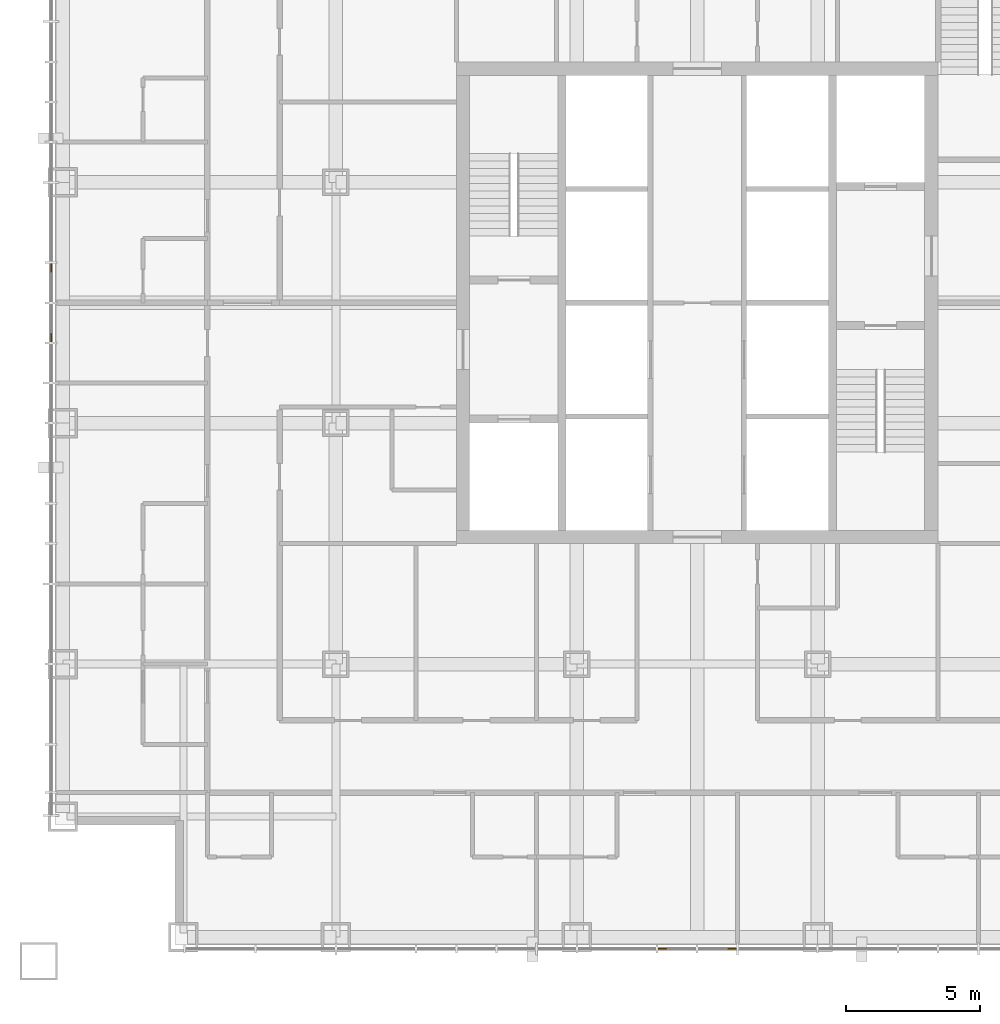
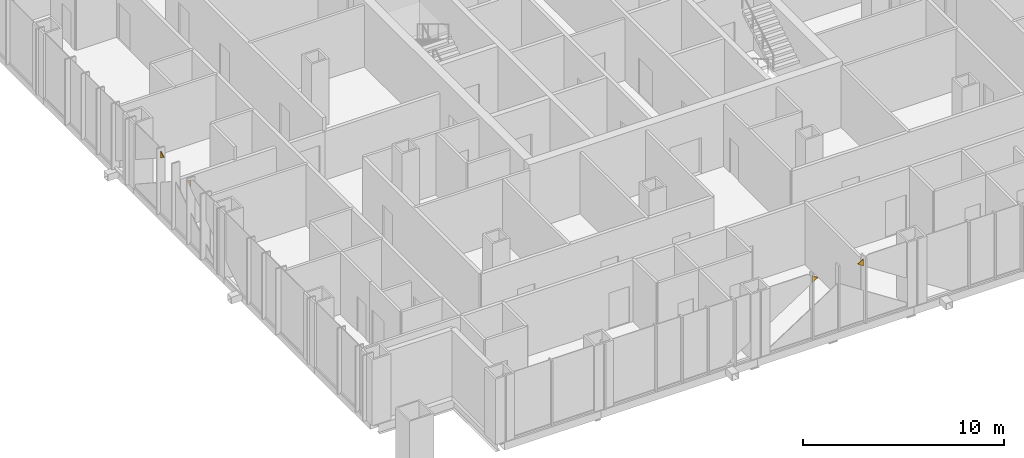
# One storey, part 15 of 16: 4 coverings.
"""IFC4 building model written with IfcOpenShell, lengths in metres."""

from ifc_helpers import new_model, si_unit, direction, frame, origin, place, context, subcontext, project, spatial, polyline, outline, extrude, material, layer, layer_set, type_object, element, save


model = new_model("IFC4")

# Units and contexts
model_context = context("Model", 3, precision=1e-05, world=origin(), true_north=direction((0.0, 1.0)))
body_context = subcontext(model_context, "Body", "Model", "MODEL_VIEW")
ifc_project = project(units=[si_unit("LENGTHUNIT", "METRE"), si_unit("AREAUNIT", "SQUARE_METRE"), si_unit("VOLUMEUNIT", "CUBIC_METRE"), si_unit("PLANEANGLEUNIT", "RADIAN"), si_unit("MASSUNIT", "GRAM", prefix="KILO")], contexts=[model_context])

# Site, building, storey
site_placement = place(None, origin())
site = spatial("IfcSite", under=ifc_project, at=site_placement, CompositionType="ELEMENT")
building_placement = place(site_placement, origin())
building = spatial("IfcBuilding", under=site, at=building_placement, Name="Malebo Sky Hospital", CompositionType="ELEMENT")
storey_placement = place(building_placement, frame((0.0, 0.0, 152.0)))
storey = spatial("IfcBuildingStorey", under=building, at=storey_placement, Name="L36", CompositionType="ELEMENT", Elevation=152.0)

# Coverings
ifc_material = material(Name="Anodised aluminium, natural silver insulated infill panel", Category="aluminium")
ifc_layer = layer(ifc_material, 0.0400390625)
ifc_layer_set = layer_set([ifc_layer], Name="BRACE INFILL PANEL 40")
covering_type = type_object("IfcCoveringType", Name="BRACE INFILL PANEL 40", PredefinedType="CLADDING", material=ifc_layer_set)
covering_1_placement = place(storey_placement, frame((35.864990234375, 60.695068359375, 3.39501953125), z_axis=(0.0, 0.0, 1.0), x_axis=(0.0, 1.0, 0.0)))
element("IfcCovering", 1, at=covering_1_placement, inside=storey, type_object=covering_type, Name="Brace infill panel 10.1", PredefinedType="CLADDING", context=body_context, shape_type="SweptSolid", body=[
    extrude(outline(polyline([(-0.15771484375, 0.0), (0.15771484375, 0.205078125), (-0.15771484375, 0.41015625), (-0.15771484375, 0.0)])), frame((0.0, 0.02001953125, 0.0), z_axis=(0.0, -1.0, 0.0), x_axis=(1.0, 0.0, 0.0)), (0.0, 0.0, 1.0), 0.0400390625),
])
covering_2_placement = place(storey_placement, frame((35.864990234375, 63.304931640625, 3.39501953125), z_axis=(0.0, 0.0, 1.0), x_axis=(0.0, 1.0, 0.0)))
element("IfcCovering", 2, at=covering_2_placement, inside=storey, type_object=covering_type, Name="Brace infill panel 11.1", PredefinedType="CLADDING", context=body_context, shape_type="SweptSolid", body=[
    extrude(outline(polyline([(0.15771484375, 0.0), (0.15771484375, 0.41015625), (-0.15771484375, 0.205078125), (0.15771484375, 0.0)])), frame((0.0, 0.02001953125, 0.0), z_axis=(0.0, -1.0, 0.0), x_axis=(1.0, 0.0, 0.0)), (0.0, 0.0, 1.0), 0.0400390625),
])
covering_3_placement = place(storey_placement, frame((61.304931640625, 37.864990234375, 3.39501953125), z_axis=(0.0, 0.0, 1.0), x_axis=(-1.0, 0.0, 0.0)))
element("IfcCovering", 3, at=covering_3_placement, inside=storey, type_object=covering_type, Name="Brace infill panel 9.1", PredefinedType="CLADDING", context=body_context, shape_type="SweptSolid", body=[
    extrude(outline(polyline([(-0.15771484375, 0.0), (0.15771484375, 0.205078125), (-0.15771484375, 0.41015625), (-0.15771484375, 0.0)])), frame((0.0, 0.02001953125, 0.0), z_axis=(0.0, -1.0, 0.0), x_axis=(1.0, 0.0, 0.0)), (0.0, 0.0, 1.0), 0.0400390625),
])
covering_4_placement = place(storey_placement, frame((58.695068359375, 37.864990234375, 3.39501953125), z_axis=(0.0, 0.0, 1.0), x_axis=(-1.0, 0.0, 0.0)))
element("IfcCovering", 4, at=covering_4_placement, inside=storey, type_object=covering_type, Name="Brace infill panel 10.1", PredefinedType="CLADDING", context=body_context, shape_type="SweptSolid", body=[
    extrude(outline(polyline([(0.15771484375, 0.0), (0.15771484375, 0.41015625), (-0.15771484375, 0.205078125), (0.15771484375, 0.0)])), frame((0.0, 0.02001953125, 0.0), z_axis=(0.0, -1.0, 0.0), x_axis=(1.0, 0.0, 0.0)), (0.0, 0.0, 1.0), 0.0400390625),
])

save(model, "model.ifc")
